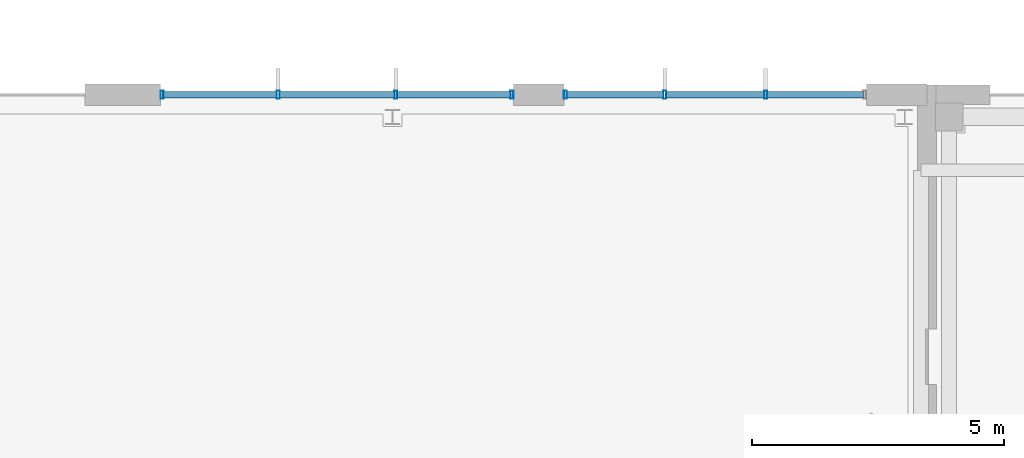
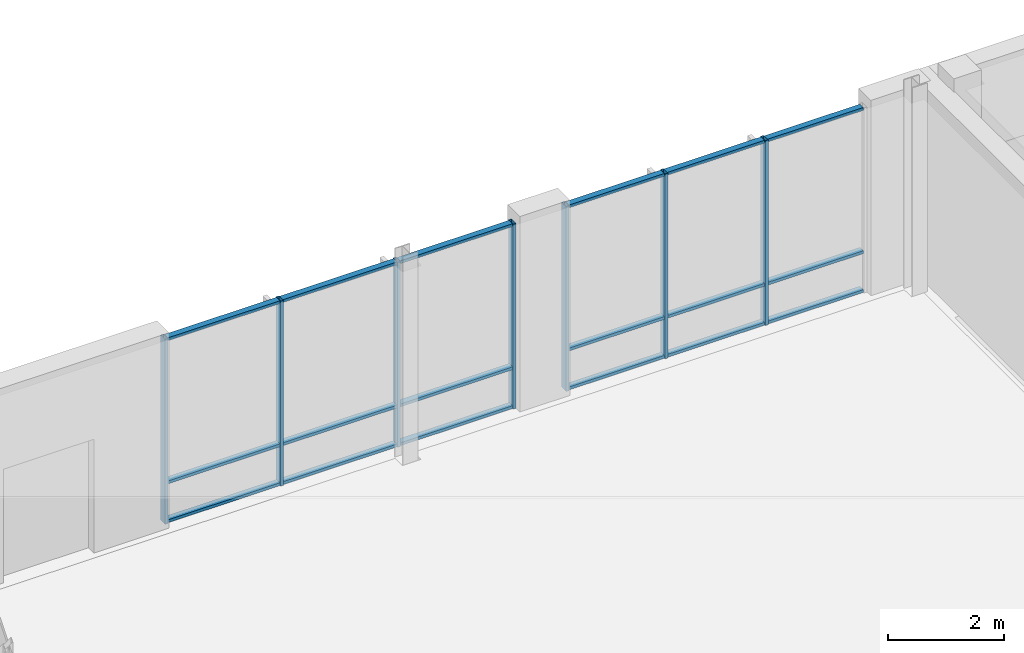
# One storey, part 132 of 233: 25 members, 2 elements without a shape of their own.
"""IFC4 building model written with IfcOpenShell, lengths in metres."""

from ifc_helpers import new_model, si_unit, direction, frame, origin, origin_2d, place, context, subcontext, project, spatial, hollow_rectangle, extrude, material, material_profile, profile_set, type_object, element, aggregate, save


model = new_model("IFC4")

# Units and contexts
model_context = context("Model", 3, precision=1e-05, world=origin(), true_north=direction((0.0, 1.0)))
body_context = subcontext(model_context, "Body", "Model", "MODEL_VIEW")
ifc_project = project(units=[si_unit("LENGTHUNIT", "METRE"), si_unit("AREAUNIT", "SQUARE_METRE"), si_unit("VOLUMEUNIT", "CUBIC_METRE"), si_unit("PLANEANGLEUNIT", "RADIAN"), si_unit("MASSUNIT", "GRAM", prefix="KILO")], contexts=[model_context])

# Site, building, storey
site_placement = place(None, origin())
site = spatial("IfcSite", under=ifc_project, at=site_placement, CompositionType="ELEMENT")
building_placement = place(site_placement, origin())
building = spatial("IfcBuilding", under=site, at=building_placement, Name="Zavelmont Quarter", CompositionType="ELEMENT")
storey_placement = place(building_placement, origin())
storey = spatial("IfcBuildingStorey", under=building, at=storey_placement, Name="L00", CompositionType="ELEMENT", Elevation=0.0)

# Curtain wall, members
ifc_material_1 = material(Name="Thermally broken aluminium and double low-E safety glazing", Category="aluminium")
curtain_wall_type_1 = type_object("IfcCurtainWallType", Name="CW-700X390", PredefinedType="NOTDEFINED", material=ifc_material_1)
curtain_wall_1_placement = place(storey_placement, origin())
curtain_wall_1 = element("IfcCurtainWall", 1, at=curtain_wall_1_placement, inside=storey, type_object=curtain_wall_type_1, Name="L00 unitised curtain wall CW-700X390", PredefinedType="NOTDEFINED")
ifc_material_2 = material(Name="Powder-coated aluminium EN AW-6063-T6", Category="aluminium")
ifc_material_profile_1 = material_profile(ifc_material_2, hollow_rectangle(XDim=0.06005859375, YDim=0.159912109375, WallThickness=0.00390625, at=origin_2d()), Name="CWM60X160")
ifc_profile_set_1 = profile_set([ifc_material_profile_1], Name="Powder-coated aluminium EN AW-6063-T6")
member_type_1 = type_object("IfcMemberType", Name="CWM01", PredefinedType="MULLION", material=ifc_profile_set_1)
member_1_placement = place(storey_placement, frame((97.6298828125, 116.0, 0.0), z_axis=(0.0, 0.0, 1.0), x_axis=(1.0, 0.0, 0.0)))
member_1 = element("IfcMember", 2, at=member_1_placement, type_object=member_type_1, Name="CW-700X390 mullion 1", PredefinedType="MULLION", context=body_context, shape_type="SweptSolid", body=[
    extrude(hollow_rectangle(XDim=0.06005859375, YDim=0.159912109375, WallThickness=0.00390625, at=origin_2d()), origin(), (0.0, 0.0, 1.0), 3.89990234375),
])
member_2_placement = place(storey_placement, frame((99.933349609375, 116.0, 0.0), z_axis=(0.0, 0.0, 1.0), x_axis=(1.0, 0.0, 0.0)))
member_2 = element("IfcMember", 3, at=member_2_placement, type_object=member_type_1, Name="CW-700X390 mullion 2", PredefinedType="MULLION", context=body_context, shape_type="SweptSolid", body=[
    extrude(hollow_rectangle(XDim=0.06005859375, YDim=0.159912109375, WallThickness=0.00390625, at=origin_2d()), origin(), (0.0, 0.0, 1.0), 3.89990234375),
])
member_3_placement = place(storey_placement, frame((102.2666015625, 116.0, 0.0), z_axis=(0.0, 0.0, 1.0), x_axis=(1.0, 0.0, 0.0)))
member_3 = element("IfcMember", 4, at=member_3_placement, type_object=member_type_1, Name="CW-700X390 mullion 3", PredefinedType="MULLION", context=body_context, shape_type="SweptSolid", body=[
    extrude(hollow_rectangle(XDim=0.06005859375, YDim=0.159912109375, WallThickness=0.00390625, at=origin_2d()), origin(), (0.0, 0.0, 1.0), 3.89990234375),
])
member_4_placement = place(storey_placement, frame((104.570068359375, 116.0, 0.0), z_axis=(0.0, 0.0, 1.0), x_axis=(1.0, 0.0, 0.0)))
member_4 = element("IfcMember", 5, at=member_4_placement, type_object=member_type_1, Name="CW-700X390 mullion 4", PredefinedType="MULLION", context=body_context, shape_type="SweptSolid", body=[
    extrude(hollow_rectangle(XDim=0.06005859375, YDim=0.159912109375, WallThickness=0.00390625, at=origin_2d()), origin(), (0.0, 0.0, 1.0), 3.89990234375),
])

curtain_wall_type_2 = type_object("IfcCurtainWallType", Name="CW-600X390", PredefinedType="NOTDEFINED", material=ifc_material_1)
curtain_wall_2_placement = place(storey_placement, origin())
curtain_wall_2 = element("IfcCurtainWall", 6, at=curtain_wall_2_placement, inside=storey, type_object=curtain_wall_type_2, Name="L00 unitised curtain wall CW-600X390", PredefinedType="NOTDEFINED")
member_5_placement = place(storey_placement, frame((105.6298828125, 116.0, 0.0), z_axis=(0.0, 0.0, 1.0), x_axis=(1.0, 0.0, 0.0)))
member_5 = element("IfcMember", 7, at=member_5_placement, type_object=member_type_1, Name="CW-600X390 mullion 1", PredefinedType="MULLION", context=body_context, shape_type="SweptSolid", body=[
    extrude(hollow_rectangle(XDim=0.06005859375, YDim=0.159912109375, WallThickness=0.00390625, at=origin_2d()), origin(), (0.0, 0.0, 1.0), 3.89990234375),
])
member_6_placement = place(storey_placement, frame((107.60009765625, 116.0, 0.0), z_axis=(0.0, 0.0, 1.0), x_axis=(1.0, 0.0, 0.0)))
member_6 = element("IfcMember", 8, at=member_6_placement, type_object=member_type_1, Name="CW-600X390 mullion 2", PredefinedType="MULLION", context=body_context, shape_type="SweptSolid", body=[
    extrude(hollow_rectangle(XDim=0.06005859375, YDim=0.159912109375, WallThickness=0.00390625, at=origin_2d()), origin(), (0.0, 0.0, 1.0), 3.89990234375),
])
member_7_placement = place(storey_placement, frame((109.60009765625, 116.0, 0.0), z_axis=(0.0, 0.0, 1.0), x_axis=(1.0, 0.0, 0.0)))
member_7 = element("IfcMember", 9, at=member_7_placement, type_object=member_type_1, Name="CW-600X390 mullion 3", PredefinedType="MULLION", context=body_context, shape_type="SweptSolid", body=[
    extrude(hollow_rectangle(XDim=0.06005859375, YDim=0.159912109375, WallThickness=0.00390625, at=origin_2d()), origin(), (0.0, 0.0, 1.0), 3.89990234375),
])

# Member
ifc_material_profile_2 = material_profile(ifc_material_2, hollow_rectangle(XDim=0.1201171875, YDim=0.06005859375, WallThickness=0.00390625, at=origin_2d()), Name="CWT60X120")
ifc_profile_set_2 = profile_set([ifc_material_profile_2], Name="Powder-coated aluminium EN AW-6063-T6")
member_type_2 = type_object("IfcMemberType", Name="CWT01", PredefinedType="NOTDEFINED", material=ifc_profile_set_2)
member_8_placement = place(storey_placement, frame((97.659912109375, 116.0, 0.030029296875), z_axis=(1.0, 0.0, 0.0), x_axis=(0.0, 1.0, 0.0)))
member_8 = element("IfcMember", 10, at=member_8_placement, type_object=member_type_2, Name="CW-700X390 transom 1.1", ObjectType="TRANSOM", PredefinedType="USERDEFINED", context=body_context, shape_type="SweptSolid", body=[
    extrude(hollow_rectangle(XDim=0.1201171875, YDim=0.06005859375, WallThickness=0.00390625, at=origin_2d()), origin(), (0.0, 0.0, 1.0), 2.243408203125),
])

member_9_placement = place(storey_placement, frame((97.659912109375, 116.0, 0.85009765625), z_axis=(1.0, 0.0, 0.0), x_axis=(0.0, 1.0, 0.0)))
member_9 = element("IfcMember", 11, at=member_9_placement, type_object=member_type_2, Name="CW-700X390 transom 1.2", ObjectType="TRANSOM", PredefinedType="USERDEFINED", context=body_context, shape_type="SweptSolid", body=[
    extrude(hollow_rectangle(XDim=0.1201171875, YDim=0.06005859375, WallThickness=0.00390625, at=origin_2d()), origin(), (0.0, 0.0, 1.0), 2.243408203125),
])

member_10_placement = place(storey_placement, frame((97.659912109375, 116.0, 3.8701171875), z_axis=(1.0, 0.0, 0.0), x_axis=(0.0, 1.0, 0.0)))
member_10 = element("IfcMember", 12, at=member_10_placement, type_object=member_type_2, Name="CW-700X390 transom 1.3", ObjectType="TRANSOM", PredefinedType="USERDEFINED", context=body_context, shape_type="SweptSolid", body=[
    extrude(hollow_rectangle(XDim=0.1201171875, YDim=0.06005859375, WallThickness=0.00390625, at=origin_2d()), origin(), (0.0, 0.0, 1.0), 2.243408203125),
])

member_11_placement = place(storey_placement, frame((99.96337890625, 116.0, 0.030029296875), z_axis=(1.0, 0.0, 0.0), x_axis=(0.0, 1.0, 0.0)))
member_11 = element("IfcMember", 13, at=member_11_placement, type_object=member_type_2, Name="CW-700X390 transom 2.1", ObjectType="TRANSOM", PredefinedType="USERDEFINED", context=body_context, shape_type="SweptSolid", body=[
    extrude(hollow_rectangle(XDim=0.1201171875, YDim=0.06005859375, WallThickness=0.00390625, at=origin_2d()), origin(), (0.0, 0.0, 1.0), 2.273193359375),
])

member_12_placement = place(storey_placement, frame((99.96337890625, 116.0, 0.85009765625), z_axis=(1.0, 0.0, 0.0), x_axis=(0.0, 1.0, 0.0)))
member_12 = element("IfcMember", 14, at=member_12_placement, type_object=member_type_2, Name="CW-700X390 transom 2.2", ObjectType="TRANSOM", PredefinedType="USERDEFINED", context=body_context, shape_type="SweptSolid", body=[
    extrude(hollow_rectangle(XDim=0.1201171875, YDim=0.06005859375, WallThickness=0.00390625, at=origin_2d()), origin(), (0.0, 0.0, 1.0), 2.273193359375),
])

member_13_placement = place(storey_placement, frame((99.96337890625, 116.0, 3.8701171875), z_axis=(1.0, 0.0, 0.0), x_axis=(0.0, 1.0, 0.0)))
member_13 = element("IfcMember", 15, at=member_13_placement, type_object=member_type_2, Name="CW-700X390 transom 2.3", ObjectType="TRANSOM", PredefinedType="USERDEFINED", context=body_context, shape_type="SweptSolid", body=[
    extrude(hollow_rectangle(XDim=0.1201171875, YDim=0.06005859375, WallThickness=0.00390625, at=origin_2d()), origin(), (0.0, 0.0, 1.0), 2.273193359375),
])

member_14_placement = place(storey_placement, frame((102.296630859375, 116.0, 0.030029296875), z_axis=(1.0, 0.0, 0.0), x_axis=(0.0, 1.0, 0.0)))
member_14 = element("IfcMember", 16, at=member_14_placement, type_object=member_type_2, Name="CW-700X390 transom 3.1", ObjectType="TRANSOM", PredefinedType="USERDEFINED", context=body_context, shape_type="SweptSolid", body=[
    extrude(hollow_rectangle(XDim=0.1201171875, YDim=0.06005859375, WallThickness=0.00390625, at=origin_2d()), origin(), (0.0, 0.0, 1.0), 2.243408203125),
])

member_15_placement = place(storey_placement, frame((102.296630859375, 116.0, 0.85009765625), z_axis=(1.0, 0.0, 0.0), x_axis=(0.0, 1.0, 0.0)))
member_15 = element("IfcMember", 17, at=member_15_placement, type_object=member_type_2, Name="CW-700X390 transom 3.2", ObjectType="TRANSOM", PredefinedType="USERDEFINED", context=body_context, shape_type="SweptSolid", body=[
    extrude(hollow_rectangle(XDim=0.1201171875, YDim=0.06005859375, WallThickness=0.00390625, at=origin_2d()), origin(), (0.0, 0.0, 1.0), 2.243408203125),
])

member_16_placement = place(storey_placement, frame((102.296630859375, 116.0, 3.8701171875), z_axis=(1.0, 0.0, 0.0), x_axis=(0.0, 1.0, 0.0)))
member_16 = element("IfcMember", 18, at=member_16_placement, type_object=member_type_2, Name="CW-700X390 transom 3.3", ObjectType="TRANSOM", PredefinedType="USERDEFINED", context=body_context, shape_type="SweptSolid", body=[
    extrude(hollow_rectangle(XDim=0.1201171875, YDim=0.06005859375, WallThickness=0.00390625, at=origin_2d()), origin(), (0.0, 0.0, 1.0), 2.243408203125),
])

aggregate(curtain_wall_1, [member_1, member_2, member_3, member_4, member_8, member_9, member_10, member_11, member_12, member_13, member_14, member_15, member_16])

member_17_placement = place(storey_placement, frame((105.659912109375, 116.0, 0.030029296875), z_axis=(1.0, 0.0, 0.0), x_axis=(0.0, 1.0, 0.0)))
member_17 = element("IfcMember", 19, at=member_17_placement, type_object=member_type_2, Name="CW-600X390 transom 1.1", ObjectType="TRANSOM", PredefinedType="USERDEFINED", context=body_context, shape_type="SweptSolid", body=[
    extrude(hollow_rectangle(XDim=0.1201171875, YDim=0.06005859375, WallThickness=0.00390625, at=origin_2d()), origin(), (0.0, 0.0, 1.0), 1.91015625),
])

member_18_placement = place(storey_placement, frame((105.659912109375, 116.0, 0.85009765625), z_axis=(1.0, 0.0, 0.0), x_axis=(0.0, 1.0, 0.0)))
member_18 = element("IfcMember", 20, at=member_18_placement, type_object=member_type_2, Name="CW-600X390 transom 1.2", ObjectType="TRANSOM", PredefinedType="USERDEFINED", context=body_context, shape_type="SweptSolid", body=[
    extrude(hollow_rectangle(XDim=0.1201171875, YDim=0.06005859375, WallThickness=0.00390625, at=origin_2d()), origin(), (0.0, 0.0, 1.0), 1.91015625),
])

member_19_placement = place(storey_placement, frame((105.659912109375, 116.0, 3.8701171875), z_axis=(1.0, 0.0, 0.0), x_axis=(0.0, 1.0, 0.0)))
member_19 = element("IfcMember", 21, at=member_19_placement, type_object=member_type_2, Name="CW-600X390 transom 1.3", ObjectType="TRANSOM", PredefinedType="USERDEFINED", context=body_context, shape_type="SweptSolid", body=[
    extrude(hollow_rectangle(XDim=0.1201171875, YDim=0.06005859375, WallThickness=0.00390625, at=origin_2d()), origin(), (0.0, 0.0, 1.0), 1.91015625),
])

member_20_placement = place(storey_placement, frame((107.6298828125, 116.0, 0.030029296875), z_axis=(1.0, 0.0, 0.0), x_axis=(0.0, 1.0, 0.0)))
member_20 = element("IfcMember", 22, at=member_20_placement, type_object=member_type_2, Name="CW-600X390 transom 2.1", ObjectType="TRANSOM", PredefinedType="USERDEFINED", context=body_context, shape_type="SweptSolid", body=[
    extrude(hollow_rectangle(XDim=0.1201171875, YDim=0.06005859375, WallThickness=0.00390625, at=origin_2d()), origin(), (0.0, 0.0, 1.0), 1.940185546875),
])

member_21_placement = place(storey_placement, frame((107.6298828125, 116.0, 0.85009765625), z_axis=(1.0, 0.0, 0.0), x_axis=(0.0, 1.0, 0.0)))
member_21 = element("IfcMember", 23, at=member_21_placement, type_object=member_type_2, Name="CW-600X390 transom 2.2", ObjectType="TRANSOM", PredefinedType="USERDEFINED", context=body_context, shape_type="SweptSolid", body=[
    extrude(hollow_rectangle(XDim=0.1201171875, YDim=0.06005859375, WallThickness=0.00390625, at=origin_2d()), origin(), (0.0, 0.0, 1.0), 1.940185546875),
])

member_22_placement = place(storey_placement, frame((107.6298828125, 116.0, 3.8701171875), z_axis=(1.0, 0.0, 0.0), x_axis=(0.0, 1.0, 0.0)))
member_22 = element("IfcMember", 24, at=member_22_placement, type_object=member_type_2, Name="CW-600X390 transom 2.3", ObjectType="TRANSOM", PredefinedType="USERDEFINED", context=body_context, shape_type="SweptSolid", body=[
    extrude(hollow_rectangle(XDim=0.1201171875, YDim=0.06005859375, WallThickness=0.00390625, at=origin_2d()), origin(), (0.0, 0.0, 1.0), 1.940185546875),
])

member_23_placement = place(storey_placement, frame((109.6298828125, 116.0, 0.030029296875), z_axis=(1.0, 0.0, 0.0), x_axis=(0.0, 1.0, 0.0)))
member_23 = element("IfcMember", 25, at=member_23_placement, type_object=member_type_2, Name="CW-600X390 transom 3.1", ObjectType="TRANSOM", PredefinedType="USERDEFINED", context=body_context, shape_type="SweptSolid", body=[
    extrude(hollow_rectangle(XDim=0.1201171875, YDim=0.06005859375, WallThickness=0.00390625, at=origin_2d()), origin(), (0.0, 0.0, 1.0), 1.91015625),
])

member_24_placement = place(storey_placement, frame((109.6298828125, 116.0, 0.85009765625), z_axis=(1.0, 0.0, 0.0), x_axis=(0.0, 1.0, 0.0)))
member_24 = element("IfcMember", 26, at=member_24_placement, type_object=member_type_2, Name="CW-600X390 transom 3.2", ObjectType="TRANSOM", PredefinedType="USERDEFINED", context=body_context, shape_type="SweptSolid", body=[
    extrude(hollow_rectangle(XDim=0.1201171875, YDim=0.06005859375, WallThickness=0.00390625, at=origin_2d()), origin(), (0.0, 0.0, 1.0), 1.91015625),
])

member_25_placement = place(storey_placement, frame((109.6298828125, 116.0, 3.8701171875), z_axis=(1.0, 0.0, 0.0), x_axis=(0.0, 1.0, 0.0)))
member_25 = element("IfcMember", 27, at=member_25_placement, type_object=member_type_2, Name="CW-600X390 transom 3.3", ObjectType="TRANSOM", PredefinedType="USERDEFINED", context=body_context, shape_type="SweptSolid", body=[
    extrude(hollow_rectangle(XDim=0.1201171875, YDim=0.06005859375, WallThickness=0.00390625, at=origin_2d()), origin(), (0.0, 0.0, 1.0), 1.91015625),
])

aggregate(curtain_wall_2, [member_5, member_6, member_7, member_17, member_18, member_19, member_20, member_21, member_22, member_23, member_24, member_25])

save(model, "model.ifc")
